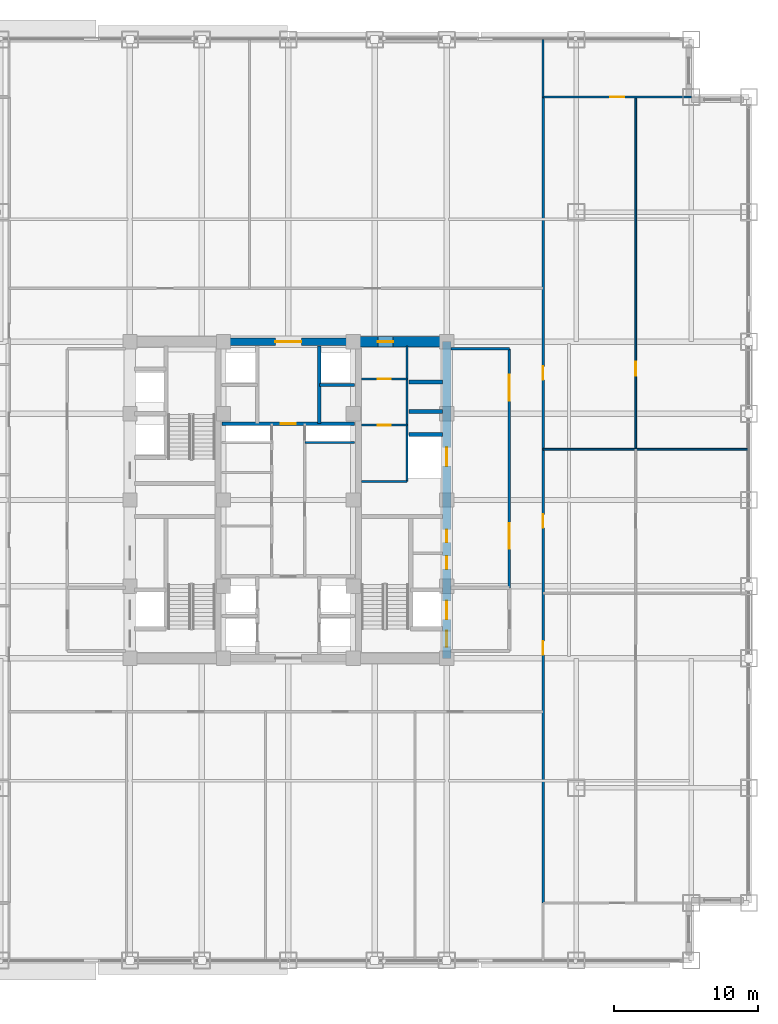
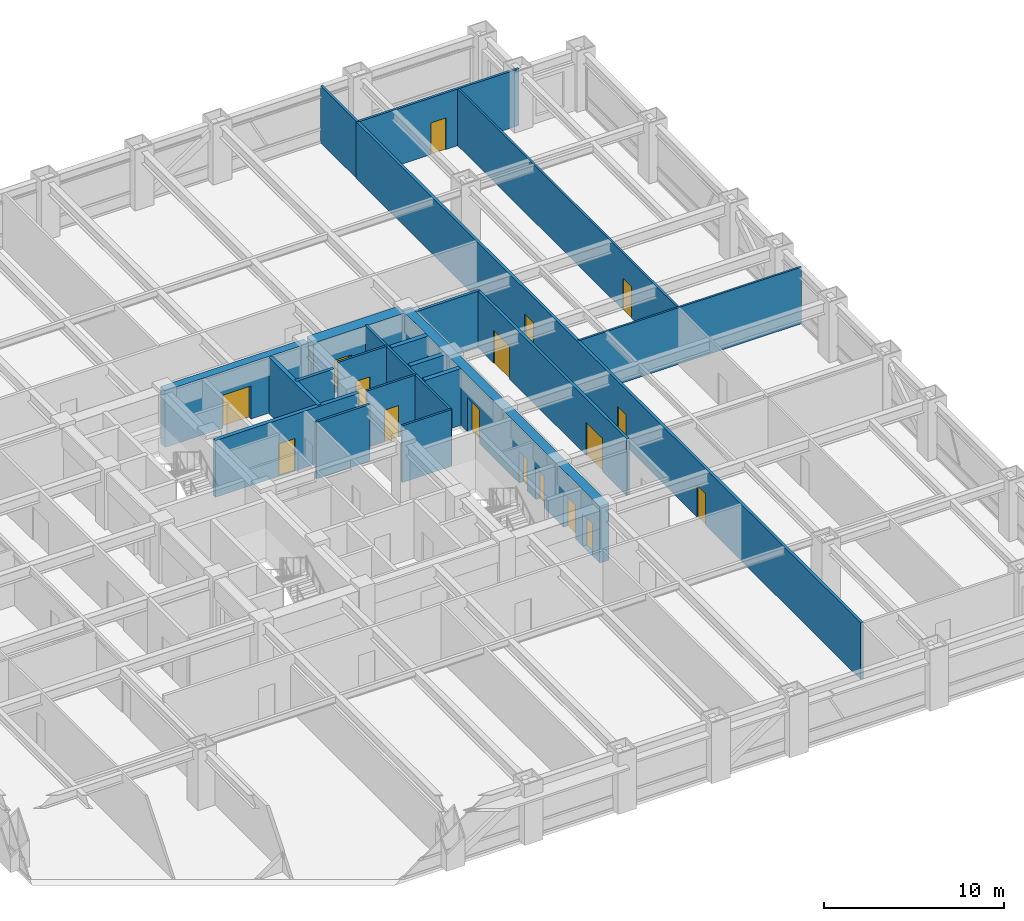
# One storey, part 26 of 32: 21 walls, 17 doors, 17 openings.
"""IFC4 building model written with IfcOpenShell, lengths in metres."""

import ifcopenshell
import ifcopenshell.guid

model = None  # the IFC model being written
_history = None  # IfcOwnerHistory: only IFC2X3 demands one
_inside = {}  # id of a spatial element -> (the spatial element, [elements in it])
_under = {}  # id of a project, library or spatial element -> (it, [spatial elements below it])
_declared = {}  # id of a project -> (the project, [libraries it declares])
_typed = {}  # id of a type object -> (the type object, [elements of that type])
_made_of = {}  # id of a material, layer set ... -> (it, [elements and type objects made of it])


def new_model(schema):
    """Start an empty IFC model of exactly this schema.

    Asked for "IFC4X3", IfcOpenShell would pick the latest addendum, in which some entities
    have other attributes; the version numbers below select the first issue.
    IFC2X3 requires an IfcOwnerHistory on every rooted entity: one is made here for all.
    """
    global model, _history
    if schema == "IFC4X3":
        model = ifcopenshell.file(schema_version=(4, 3, 0, 0))
    else:
        model = ifcopenshell.file(schema=schema)
    _inside.clear()
    _under.clear()
    _declared.clear()
    _typed.clear()
    _made_of.clear()
    _history = None
    if model.schema == "IFC2X3":
        org = make("IfcOrganization", Name="unknown")
        user = make(
            "IfcPersonAndOrganization",
            ThePerson=make("IfcPerson", FamilyName="unknown"),
            TheOrganization=org,
        )
        app = make(
            "IfcApplication",
            ApplicationDeveloper=org,
            Version="unknown",
            ApplicationFullName="unknown",
            ApplicationIdentifier="unknown",
        )
        _history = make(
            "IfcOwnerHistory",
            OwningUser=user,
            OwningApplication=app,
            ChangeAction="ADDED",
            CreationDate=0,
        )
    return model


def make(cls, **values):
    """One entity of the class cls with the attributes given. An attribute that is None is left unset."""
    return model.create_entity(
        cls, **{name: value for name, value in values.items() if value is not None}
    )


def rooted(cls, **values):
    """An entity with a GlobalId (a new one), such as an element, a storey or a relation."""
    return make(cls, GlobalId=ifcopenshell.guid.new(), OwnerHistory=_history, **values)


def si_unit(unit_type, name, prefix=None):
    """IfcSIUnit, for example si_unit("LENGTHUNIT", "METRE", prefix="MILLI")."""
    return make("IfcSIUnit", UnitType=unit_type, Prefix=prefix, Name=name)


def assignment(units):
    """IfcUnitAssignment: the units of a project."""
    return None if units is None else make("IfcUnitAssignment", Units=units)


def point(xyz):
    """IfcCartesianPoint."""
    return None if xyz is None else make("IfcCartesianPoint", Coordinates=xyz)


def direction(xyz):
    """IfcDirection."""
    return None if xyz is None else make("IfcDirection", DirectionRatios=xyz)


def frame(location, z_axis=None, x_axis=None):
    """IfcAxis2Placement3D, a coordinate frame: its origin and axes. An axis left out is left unset."""
    return make(
        "IfcAxis2Placement3D",
        Location=point(location),
        Axis=direction(z_axis),
        RefDirection=direction(x_axis),
    )


def frame_2d(location, x_axis=None):
    """IfcAxis2Placement2D, a coordinate frame in the plane: its origin and x axis."""
    return make(
        "IfcAxis2Placement2D", Location=point(location), RefDirection=direction(x_axis)
    )


def origin():
    """The frame at (0, 0, 0) with its axes left unset."""
    return frame((0.0, 0.0, 0.0))


def place(relative_to, where):
    """IfcLocalPlacement: puts the frame where relative to a parent placement (None: the world)."""
    return make(
        "IfcLocalPlacement", PlacementRelTo=relative_to, RelativePlacement=where
    )


def context(
    kind, dimensions, precision=None, world=None, true_north=None, identifier=None
):
    """IfcGeometricRepresentationContext, for example the 3D "Model" context."""
    return make(
        "IfcGeometricRepresentationContext",
        ContextIdentifier=identifier,
        ContextType=kind,
        CoordinateSpaceDimension=dimensions,
        Precision=precision,
        WorldCoordinateSystem=world,
        TrueNorth=true_north,
    )


def subcontext(parent, identifier, kind, view, scale=None):
    """IfcGeometricRepresentationSubContext, for example "Body" below "Model"."""
    return make(
        "IfcGeometricRepresentationSubContext",
        ContextIdentifier=identifier,
        ContextType=kind,
        ParentContext=parent,
        TargetScale=scale,
        TargetView=view,
    )


def project(units=None, contexts=None):
    """IfcProject with its units and contexts."""
    return rooted(
        "IfcProject",
        Name="project",
        RepresentationContexts=contexts,
        UnitsInContext=assignment(units),
    )


def spatial(cls, under=None, at=None, **own):
    """A site, building, storey or space (cls), placed at a placement, below another one or the project."""
    s = rooted(cls, ObjectPlacement=at, **own)
    if under is not None:
        _under.setdefault(under.id(), (under, []))[1].append(s)
    return s


def profile(cls, at=None, kind="AREA", **sizes):
    """A parametric profile (cls). Its sizes go by their IFC names, for example OverallWidth=200.0."""
    return make(cls, ProfileType=kind, Position=at, **sizes)


def rectangle(**sizes):
    """IfcRectangleProfileDef."""
    return profile("IfcRectangleProfileDef", **sizes)


def extrude(swept, where, along, depth):
    """IfcExtrudedAreaSolid: the profile swept, set in the frame where, extruded along a direction by depth."""
    return make(
        "IfcExtrudedAreaSolid",
        SweptArea=swept,
        Position=where,
        ExtrudedDirection=direction(along),
        Depth=depth,
    )


def shape(context_of_items, identifier, shape_type, items):
    """IfcShapeRepresentation: the items that make up one representation, for example the "Body"."""
    return make(
        "IfcShapeRepresentation",
        ContextOfItems=context_of_items,
        RepresentationIdentifier=identifier,
        RepresentationType=shape_type,
        Items=items,
    )


def source(mapping_origin, context_of_items, identifier, shape_type, items):
    """IfcRepresentationMap: a shape defined once, which mapped items show again and again."""
    return make(
        "IfcRepresentationMap",
        MappingOrigin=mapping_origin,
        MappedRepresentation=shape(context_of_items, identifier, shape_type, items),
    )


def transform(
    local_origin,
    x_axis=None,
    y_axis=None,
    z_axis=None,
    scale=None,
    scale2=None,
    scale3=None,
    uniform=True,
):
    """IfcCartesianTransformationOperator3D, or its non-uniform kind. x_axis, y_axis, z_axis: its Axis1, 2, 3."""
    if uniform:
        return make(
            "IfcCartesianTransformationOperator3D",
            Axis1=direction(x_axis),
            Axis2=direction(y_axis),
            LocalOrigin=point(local_origin),
            Scale=scale,
            Axis3=direction(z_axis),
        )
    return make(
        "IfcCartesianTransformationOperator3DnonUniform",
        Axis1=direction(x_axis),
        Axis2=direction(y_axis),
        LocalOrigin=point(local_origin),
        Scale=scale,
        Axis3=direction(z_axis),
        Scale2=scale2,
        Scale3=scale3,
    )


def mapped(mapping_source, mapping_target):
    """IfcMappedItem: shows the shape of a source again, moved by a transform."""
    return make(
        "IfcMappedItem", MappingSource=mapping_source, MappingTarget=mapping_target
    )


def material(Name=None, Category=None):
    """IfcMaterial."""
    return make("IfcMaterial", Name=Name, Category=Category)


def layer(
    of_material, thickness, ventilated=None, Name=None, Category=None, Priority=None
):
    """IfcMaterialLayer: one layer of a wall or slab, of a material (None: an air gap)."""
    return make(
        "IfcMaterialLayer",
        Material=of_material,
        LayerThickness=thickness,
        IsVentilated=ventilated,
        Name=Name,
        Category=Category,
        Priority=Priority,
    )


def layer_set(layers, Name=None):
    """IfcMaterialLayerSet."""
    return make("IfcMaterialLayerSet", MaterialLayers=layers, LayerSetName=Name)


def made_of(thing, what):
    """Note that an element or type object is made of a material, layer set ...; save() writes the relation."""
    if what is not None:
        _made_of.setdefault(what.id(), (what, []))[1].append(thing)
    return thing


def type_object(cls, material=None, **own):
    """A type object (cls), such as IfcWallType, which elements share."""
    return made_of(rooted(cls, **own), material)


def element(
    cls,
    number,
    at=None,
    inside=None,
    cuts=None,
    type_object=None,
    material=None,
    context=None,
    identifier="Body",
    shape_type=None,
    held_by="IfcProductDefinitionShape",
    body=None,
    shapes=None,
    **own,
):
    """One element of the class cls, such as IfcWall. Its Tag is "e" and its number.

    at: its placement. inside: the storey or other place that contains it. cuts: it is an
    opening in that element (IfcRelVoidsElement). A single representation is given by context,
    identifier, shape_type and body (its items); several are given by shapes. held_by: the class
    of the entity that holds the representations. save() writes the other relations.
    """
    e = rooted(cls, Tag="e%d" % number, ObjectPlacement=at, **own)
    if body is not None:
        shapes = [shape(context, identifier, shape_type, body)]
    if shapes is not None:
        e.Representation = make(held_by, Representations=shapes)
    if inside is not None:
        _inside.setdefault(inside.id(), (inside, []))[1].append(e)
    if cuts is not None:
        rooted(
            "IfcRelVoidsElement", RelatingBuildingElement=cuts, RelatedOpeningElement=e
        )
    if type_object is not None:
        _typed.setdefault(type_object.id(), (type_object, []))[1].append(e)
    return made_of(e, material)


def fill(opening, filler):
    """IfcRelFillsElement: the door or window that sits in an opening."""
    return rooted(
        "IfcRelFillsElement",
        RelatingOpeningElement=opening,
        RelatedBuildingElement=filler,
    )


def aggregate(whole, parts):
    """IfcRelAggregates: a whole, such as a stair, and the parts it consists of."""
    return rooted("IfcRelAggregates", RelatingObject=whole, RelatedObjects=parts)


def save(model, path):
    """Write the relations noted so far, then the file.

    IfcRelAggregates (storeys below a building ...), IfcRelContainedInSpatialStructure (elements
    in a storey), IfcRelDefinesByType, IfcRelAssociatesMaterial and IfcRelDeclares: one each for
    every whole, place, type object, material and project.
    """
    for whole, parts in _under.values():
        aggregate(whole, parts)
    for where, things in _inside.values():
        rooted(
            "IfcRelContainedInSpatialStructure",
            RelatedElements=things,
            RelatingStructure=where,
        )
    for kind, things in _typed.values():
        rooted("IfcRelDefinesByType", RelatedObjects=things, RelatingType=kind)
    for what, things in _made_of.values():
        rooted("IfcRelAssociatesMaterial", RelatedObjects=things, RelatingMaterial=what)
    for by, libraries in _declared.values():
        rooted("IfcRelDeclares", RelatingContext=by, RelatedDefinitions=libraries)
    model.write(path)


model = new_model("IFC4")

# Units and contexts
model_context = context("Model", 3, precision=1e-05, world=origin(), true_north=direction((0.0, 1.0)))
body_context = subcontext(model_context, "Body", "Model", "MODEL_VIEW")
ifc_project = project(units=[si_unit("LENGTHUNIT", "METRE"), si_unit("AREAUNIT", "SQUARE_METRE"), si_unit("VOLUMEUNIT", "CUBIC_METRE"), si_unit("PLANEANGLEUNIT", "RADIAN"), si_unit("MASSUNIT", "GRAM", prefix="KILO")], contexts=[model_context])

# Site, building, storey
site_placement = place(None, origin())
site = spatial("IfcSite", under=ifc_project, at=site_placement, CompositionType="ELEMENT")
building_placement = place(site_placement, origin())
building = spatial("IfcBuilding", under=site, at=building_placement, Name="Khorayat Bourse Tower", CompositionType="ELEMENT")
storey_placement = place(building_placement, frame((0.0, 0.0, 132.39990234375)))
storey = spatial("IfcBuildingStorey", under=building, at=storey_placement, Name="L30", CompositionType="ELEMENT", Elevation=132.39990234375)

# Wall, openings, doors
ifc_material_1 = material(Name="Concrete C60/75", Category="concrete")
ifc_layer_1 = layer(ifc_material_1, 0.60009765625)
ifc_layer_set_1 = layer_set([ifc_layer_1], Name="Concrete C60/75")
wall_type_1 = type_object("IfcWallType", Name="WAL-CORE-600", PredefinedType="SHEAR", material=ifc_layer_set_1)
shared_shape_1 = source(origin(), body_context, "Body", "SweptSolid", [
    extrude(rectangle(XDim=22.0, YDim=0.60009765625, at=frame_2d((11.0, 0.0))), origin(), (0.0, 0.0, 1.0), 3.840087890625),
])
wall_1_placement = place(storey_placement, frame((11.0, -11.0, 0.0), z_axis=(0.0, 0.0, 1.0), x_axis=(0.0, 1.0, 0.0)))
wall_1 = element("IfcWall", 1, at=wall_1_placement, inside=storey, type_object=wall_type_1, Name="L30 Core Shear Wall CORE-E", PredefinedType="SHEAR", context=body_context, shape_type="MappedRepresentation", body=[
    mapped(shared_shape_1, transform((0.0, 0.0, 0.0), scale=1.0)),
])
shared_shape_2 = source(origin(), body_context, "Body", "SweptSolid", [
    extrude(rectangle(XDim=1.10009765625, YDim=2.199951171875, at=frame_2d((0.550048828125, 1.10009765625))), frame((0.0, 0.31005859375, 0.0), z_axis=(0.0, -1.0, 0.0), x_axis=(1.0, 0.0, 0.0)), (0.0, 0.0, 1.0), 0.6201171875),
])
opening_1_placement = place(wall_1_placement, frame((0.800048828125, 0.0, 0.0)))
opening_1 = element("IfcOpeningElement", 2, at=opening_1_placement, cuts=wall_1, Name="Opening DI-01", PredefinedType="OPENING", context=body_context, shape_type="MappedRepresentation", body=[
    mapped(shared_shape_2, transform((0.0, 0.0, 0.0), scale=1.0)),
])
shared_shape_3 = source(origin(), body_context, "Body", "SweptSolid", [
    extrude(rectangle(XDim=0.89990234375, YDim=2.14990234375, at=frame_2d((0.449951171875, 1.074951171875))), frame((0.0, 0.31005859375, 0.0), z_axis=(0.0, -1.0, 0.0), x_axis=(1.0, 0.0, 0.0)), (0.0, 0.0, 1.0), 0.6201171875),
])
opening_2_placement = place(wall_1_placement, frame((6.199951171875, 0.0, 0.0)))
opening_2 = element("IfcOpeningElement", 3, at=opening_2_placement, cuts=wall_1, Name="Opening DI-06", PredefinedType="OPENING", context=body_context, shape_type="MappedRepresentation", body=[
    mapped(shared_shape_3, transform((0.0, 0.0, 0.0), scale=1.0)),
])
opening_3_placement = place(wall_1_placement, frame((8.050048828125, 0.0, 0.0)))
opening_3 = element("IfcOpeningElement", 4, at=opening_3_placement, cuts=wall_1, Name="Opening DI-06", PredefinedType="OPENING", context=body_context, shape_type="MappedRepresentation", body=[
    mapped(shared_shape_3, transform((0.0, 0.0, 0.0), scale=1.0)),
])
shared_shape_4 = source(origin(), body_context, "Body", "SweptSolid", [
    extrude(rectangle(XDim=1.300048828125, YDim=2.300048828125, at=frame_2d((0.64990234375, 1.14990234375))), frame((0.0, 0.31005859375, 0.0), z_axis=(0.0, -1.0, 0.0), x_axis=(1.0, 0.0, 0.0)), (0.0, 0.0, 1.0), 0.6201171875),
])
opening_4_placement = place(wall_1_placement, frame((2.699951171875, 0.0, 0.0)))
opening_4 = element("IfcOpeningElement", 5, at=opening_4_placement, cuts=wall_1, Name="Opening LD-02", PredefinedType="OPENING", context=body_context, shape_type="MappedRepresentation", body=[
    mapped(shared_shape_4, transform((0.0, 0.0, 0.0), scale=1.0)),
])
opening_5_placement = place(wall_1_placement, frame((13.35009765625, 0.0, 0.0)))
opening_5 = element("IfcOpeningElement", 6, at=opening_5_placement, cuts=wall_1, Name="Opening LD-02", PredefinedType="OPENING", context=body_context, shape_type="MappedRepresentation", body=[
    mapped(shared_shape_4, transform((0.0, 0.0, 0.0), scale=1.0)),
])
ifc_material_2 = material(Name="Fire-rated steel acoustic leaf", Category="steel")
door_type_1 = type_object("IfcDoorType", Name="DR-INT-STAIR-1100", OperationType="NOTDEFINED", PredefinedType="DOOR", material=ifc_material_2)
shared_shape_5 = source(origin(), body_context, "Body", "SweptSolid", [
    extrude(rectangle(XDim=1.10009765625, YDim=2.199951171875, at=frame_2d((0.550048828125, 1.10009765625))), frame((0.0, 0.02490234375, 0.0), z_axis=(0.0, -1.0, 0.0), x_axis=(1.0, 0.0, 0.0)), (0.0, 0.0, 1.0), 0.050048828125),
])
door_1_placement = place(opening_1_placement, origin())
door_1 = element("IfcDoor", 7, at=door_1_placement, inside=storey, type_object=door_type_1, Name="L30 Exit Stair 3 Door", OperationType="SINGLE_SWING_LEFT", OverallHeight=2.199951171875, OverallWidth=1.10009765625, PredefinedType="DOOR", context=body_context, shape_type="MappedRepresentation", body=[
    mapped(shared_shape_5, transform((0.0, 0.0, 0.0), scale=1.0)),
])
fill(opening_1, door_1)
ifc_material_3 = material(Name="Moisture-resistant laminate washroom door")
door_type_2 = type_object("IfcDoorType", Name="DR-INT-WC-900", OperationType="NOTDEFINED", PredefinedType="DOOR", material=ifc_material_3)
shared_shape_6 = source(origin(), body_context, "Body", "SweptSolid", [
    extrude(rectangle(XDim=0.89990234375, YDim=2.14990234375, at=frame_2d((0.449951171875, 1.074951171875))), frame((0.0, 0.02490234375, 0.0), z_axis=(0.0, -1.0, 0.0), x_axis=(1.0, 0.0, 0.0)), (0.0, 0.0, 1.0), 0.050048828125),
])
door_2_placement = place(opening_2_placement, origin())
door_2 = element("IfcDoor", 8, at=door_2_placement, inside=storey, type_object=door_type_2, Name="L30 Comms Closet Door", OperationType="SINGLE_SWING_LEFT", OverallHeight=2.14990234375, OverallWidth=0.89990234375, PredefinedType="DOOR", context=body_context, shape_type="MappedRepresentation", body=[
    mapped(shared_shape_6, transform((0.0, 0.0, 0.0), scale=1.0)),
])
fill(opening_2, door_2)
door_3_placement = place(opening_3_placement, origin())
door_3 = element("IfcDoor", 9, at=door_3_placement, inside=storey, type_object=door_type_2, Name="L30 Cleaner Store Door", OperationType="SINGLE_SWING_RIGHT", OverallHeight=2.14990234375, OverallWidth=0.89990234375, PredefinedType="DOOR", context=body_context, shape_type="MappedRepresentation", body=[
    mapped(shared_shape_6, transform((0.0, 0.0, 0.0), scale=1.0)),
])
fill(opening_3, door_3)
ifc_material_4 = material(Name="Fire-rated stainless-steel sliding landing door", Category="steel")
door_type_3 = type_object("IfcDoorType", Name="DR-LIFT-FF-1300", OperationType="NOTDEFINED", PredefinedType="DOOR", material=ifc_material_4)
shared_shape_7 = source(origin(), body_context, "Body", "SweptSolid", [
    extrude(rectangle(XDim=1.300048828125, YDim=2.300048828125, at=frame_2d((0.64990234375, 1.14990234375))), frame((0.0, 0.02490234375, 0.0), z_axis=(0.0, -1.0, 0.0), x_axis=(1.0, 0.0, 0.0)), (0.0, 0.0, 1.0), 0.050048828125),
])
door_4_placement = place(opening_4_placement, origin())
door_4 = element("IfcDoor", 10, at=door_4_placement, inside=storey, type_object=door_type_3, Name="L30 Lift FFL-02 Sliding Landing Door", OperationType="SLIDING_TO_LEFT", OverallHeight=2.300048828125, OverallWidth=1.300048828125, PredefinedType="DOOR", context=body_context, shape_type="MappedRepresentation", body=[
    mapped(shared_shape_7, transform((0.0, 0.0, 0.0), scale=1.0)),
])
fill(opening_4, door_4)
door_5_placement = place(opening_5_placement, origin())
door_5 = element("IfcDoor", 11, at=door_5_placement, inside=storey, type_object=door_type_3, Name="L30 Lift SVL-01 Sliding Landing Door", OperationType="SLIDING_TO_LEFT", OverallHeight=2.300048828125, OverallWidth=1.300048828125, PredefinedType="DOOR", context=body_context, shape_type="MappedRepresentation", body=[
    mapped(shared_shape_7, transform((0.0, 0.0, 0.0), scale=1.0)),
])
fill(opening_5, door_5)

# Wall, opening, door
ifc_material_5 = material(Name="Concrete C72/90", Category="concrete")
ifc_layer_2 = layer(ifc_material_5, 0.75)
ifc_layer_set_2 = layer_set([ifc_layer_2], Name="Concrete C72/90")
wall_type_2 = type_object("IfcWallType", Name="WAL-CORE-750", PredefinedType="SHEAR", material=ifc_layer_set_2)
shared_shape_8 = source(origin(), body_context, "Body", "SweptSolid", [
    extrude(rectangle(XDim=5.849853515625, YDim=0.75, at=frame_2d((2.9248046875, 0.0))), origin(), (0.0, 0.0, 1.0), 3.840087890625),
])
wall_2_placement = place(storey_placement, frame((4.85009765625, 11.0, 0.0), z_axis=(0.0, 0.0, 1.0), x_axis=(1.0, 0.0, 0.0)))
wall_2 = element("IfcWall", 12, at=wall_2_placement, inside=storey, type_object=wall_type_2, Name="L30 Core Shear Wall PIER-EN", PredefinedType="SHEAR", context=body_context, shape_type="MappedRepresentation", body=[
    mapped(shared_shape_8, transform((0.0, 0.0, 0.0), scale=1.0)),
])
shared_shape_9 = source(origin(), body_context, "Body", "SweptSolid", [
    extrude(rectangle(XDim=1.050048828125, YDim=2.199951171875, at=frame_2d((0.52490234375, 1.10009765625))), frame((0.0, 0.385009765625, 0.0), z_axis=(0.0, -1.0, 0.0), x_axis=(1.0, 0.0, 0.0)), (0.0, 0.0, 1.0), 0.77001953125),
])
opening_6_placement = place(wall_2_placement, frame((1.375, 0.0, 0.0)))
opening_6 = element("IfcOpeningElement", 13, at=opening_6_placement, cuts=wall_2, Name="Opening DI-04", PredefinedType="OPENING", context=body_context, shape_type="MappedRepresentation", body=[
    mapped(shared_shape_9, transform((0.0, 0.0, 0.0), scale=1.0)),
])
ifc_material_6 = material(Name="Fire-rated oak veneer suite entrance door")
door_type_4 = type_object("IfcDoorType", Name="DR-INT-SUITE-1050", OperationType="NOTDEFINED", PredefinedType="DOOR", material=ifc_material_6)
shared_shape_10 = source(origin(), body_context, "Body", "SweptSolid", [
    extrude(rectangle(XDim=1.050048828125, YDim=2.199951171875, at=frame_2d((0.52490234375, 1.10009765625))), frame((0.0, 0.02490234375, 0.0), z_axis=(0.0, -1.0, 0.0), x_axis=(1.0, 0.0, 0.0)), (0.0, 0.0, 1.0), 0.050048828125),
])
door_6_placement = place(opening_6_placement, origin())
door_6 = element("IfcDoor", 14, at=door_6_placement, inside=storey, type_object=door_type_4, Name="L30 Core Washroom Lobby Door", OperationType="SINGLE_SWING_LEFT", OverallHeight=2.199951171875, OverallWidth=1.050048828125, PredefinedType="DOOR", context=body_context, shape_type="MappedRepresentation", body=[
    mapped(shared_shape_10, transform((0.0, 0.0, 0.0), scale=1.0)),
])
fill(opening_6, door_6)

ifc_material_7 = material(Name="Concrete C52/65", Category="concrete")
ifc_layer_3 = layer(ifc_material_7, 0.5)
ifc_layer_set_3 = layer_set([ifc_layer_3], Name="Concrete C52/65")
wall_type_3 = type_object("IfcWallType", Name="WAL-CORE-500", PredefinedType="SHEAR", material=ifc_layer_set_3)
shared_shape_11 = source(origin(), body_context, "Body", "SweptSolid", [
    extrude(rectangle(XDim=9.2001953125, YDim=0.5, at=frame_2d((4.60009765625, 0.0))), origin(), (0.0, 0.0, 1.0), 3.840087890625),
])
wall_3_placement = place(storey_placement, frame((-4.60009765625, 11.0, 0.0), z_axis=(0.0, 0.0, 1.0), x_axis=(1.0, 0.0, 0.0)))
wall_3 = element("IfcWall", 15, at=wall_3_placement, inside=storey, type_object=wall_type_3, Name="L30 Core Shear Wall CORE-N", PredefinedType="SHEAR", context=body_context, shape_type="MappedRepresentation", body=[
    mapped(shared_shape_11, transform((0.0, 0.0, 0.0), scale=1.0)),
])
shared_shape_12 = source(origin(), body_context, "Body", "SweptSolid", [
    extrude(rectangle(XDim=1.800048828125, YDim=2.25, at=frame_2d((0.89990234375, 1.125))), frame((0.0, 0.260009765625, 0.0), z_axis=(0.0, -1.0, 0.0), x_axis=(1.0, 0.0, 0.0)), (0.0, 0.0, 1.0), 0.52001953125),
])
opening_7_placement = place(wall_3_placement, frame((3.699951171875, 0.0, 0.0)))
opening_7 = element("IfcOpeningElement", 16, at=opening_7_placement, cuts=wall_3, Name="Opening DI-03", PredefinedType="OPENING", context=body_context, shape_type="MappedRepresentation", body=[
    mapped(shared_shape_12, transform((0.0, 0.0, 0.0), scale=1.0)),
])
ifc_material_8 = material(Name="Fire-rated hardwood vision-panel double leaf", Category="wood")
door_type_5 = type_object("IfcDoorType", Name="DR-INT-CORR-1800", OperationType="NOTDEFINED", PredefinedType="DOOR", material=ifc_material_8)
shared_shape_13 = source(origin(), body_context, "Body", "SweptSolid", [
    extrude(rectangle(XDim=1.800048828125, YDim=2.25, at=frame_2d((0.89990234375, 1.125))), frame((0.0, 0.02490234375, 0.0), z_axis=(0.0, -1.0, 0.0), x_axis=(1.0, 0.0, 0.0)), (0.0, 0.0, 1.0), 0.050048828125),
])
door_7_placement = place(opening_7_placement, origin())
door_7 = element("IfcDoor", 17, at=door_7_placement, inside=storey, type_object=door_type_5, Name="L30 Mid-Rise Lift Lobby Door", OperationType="SINGLE_SWING_RIGHT", OverallHeight=2.25, OverallWidth=1.800048828125, PredefinedType="DOOR", context=body_context, shape_type="MappedRepresentation", body=[
    mapped(shared_shape_13, transform((0.0, 0.0, 0.0), scale=1.0)),
])
fill(opening_7, door_7)

# Walls
ifc_material_9 = material(Name="Concrete C50/60", Category="concrete")
ifc_layer_4 = layer(ifc_material_9, 0.300048828125)
ifc_layer_set_4 = layer_set([ifc_layer_4], Name="Concrete C50/60")
wall_type_4 = type_object("IfcWallType", Name="WAL-SHAFT-300", PredefinedType="SHEAR", material=ifc_layer_set_4)
shared_shape_14 = source(origin(), body_context, "Body", "SweptSolid", [
    extrude(rectangle(XDim=2.300048828125, YDim=0.300048828125, at=frame_2d((1.14990234375, 0.0))), origin(), (0.0, 0.0, 1.0), 3.840087890625),
])
for number, where, z_axis, x_axis, name in (
    (18, (8.39990234375, 4.550048828125, 0.0), (0.0, 0.0, 1.0), (1.0, 0.0, 0.0), "L30 Partition WAL-L30-EPIER-SVLN"),
    (19, (8.39990234375, 6.14990234375, 0.0), (0.0, 0.0, 1.0), (1.0, 0.0, 0.0), "L30 Partition WAL-L30-EPIER-H3S"),
    (20, (8.39990234375, 8.199951171875, 0.0), (0.0, 0.0, 1.0), (1.0, 0.0, 0.0), "L30 Partition WAL-L30-EPIER-H34"),
):
    element("IfcWall", number, at=place(storey_placement, frame(where, z_axis=z_axis, x_axis=x_axis)), inside=storey, type_object=wall_type_4, Name=name, PredefinedType="SHEAR", context=body_context, shape_type="MappedRepresentation", body=[
        mapped(shared_shape_14, transform((0.0, 0.0, 0.0), scale=1.0)),
    ])
ifc_material_10 = material(Name="Moisture-resistant masonry partition", Category="masonry")
ifc_layer_5 = layer(ifc_material_10, 0.139892578125)
ifc_layer_set_5 = layer_set([ifc_layer_5], Name="Moisture-resistant masonry partition")
wall_type_5 = type_object("IfcWallType", Name="WAL-PART-WET-140", PredefinedType="PARTITIONING", material=ifc_layer_set_5)
shared_shape_15 = source(origin(), body_context, "Body", "SweptSolid", [
    extrude(rectangle(XDim=9.39990234375, YDim=0.139892578125, at=frame_2d((4.699951171875, 0.0))), origin(), (0.0, 0.0, 1.0), 3.840087890625),
])
wall_4_placement = place(storey_placement, frame((8.25, 1.300048828125, 0.0), z_axis=(0.0, 0.0, 1.0), x_axis=(0.0, 1.0, 0.0)))
element("IfcWall", 21, at=wall_4_placement, inside=storey, type_object=wall_type_5, Name="L30 Partition WAL-L30-ECORE-E", PredefinedType="PARTITIONING", context=body_context, shape_type="MappedRepresentation", body=[
    mapped(shared_shape_15, transform((0.0, 0.0, 0.0), scale=1.0)),
])
shared_shape_16 = source(origin(), body_context, "Body", "SweptSolid", [
    extrude(rectangle(XDim=3.14990234375, YDim=0.139892578125, at=frame_2d((1.574951171875, 0.0))), origin(), (0.0, 0.0, 1.0), 3.840087890625),
])
wall_5_placement = place(storey_placement, frame((5.10009765625, 1.300048828125, 0.0), z_axis=(0.0, 0.0, 1.0), x_axis=(1.0, 0.0, 0.0)))
element("IfcWall", 22, at=wall_5_placement, inside=storey, type_object=wall_type_5, Name="L30 Partition WAL-L30-ECORE-S", PredefinedType="PARTITIONING", context=body_context, shape_type="MappedRepresentation", body=[
    mapped(shared_shape_16, transform((0.0, 0.0, 0.0), scale=1.0)),
])

# Wall, opening, door
wall_6_placement = place(storey_placement, frame((5.10009765625, 8.39990234375, 0.0), z_axis=(0.0, 0.0, 1.0), x_axis=(1.0, 0.0, 0.0)))
wall_6 = element("IfcWall", 23, at=wall_6_placement, inside=storey, type_object=wall_type_5, Name="L30 Partition WAL-L30-ECW-TOP", PredefinedType="PARTITIONING", context=body_context, shape_type="MappedRepresentation", body=[
    mapped(shared_shape_16, transform((0.0, 0.0, 0.0), scale=1.0)),
])
shared_shape_17 = source(origin(), body_context, "Body", "SweptSolid", [
    extrude(rectangle(XDim=0.89990234375, YDim=2.14990234375, at=frame_2d((0.449951171875, 1.074951171875))), frame((0.0, 0.079833984375, 0.0), z_axis=(0.0, -1.0, 0.0), x_axis=(1.0, 0.0, 0.0)), (0.0, 0.0, 1.0), 0.159912109375),
])
opening_8_placement = place(wall_6_placement, frame((1.1298828125, 0.0, 0.0)))
opening_8 = element("IfcOpeningElement", 24, at=opening_8_placement, cuts=wall_6, Name="Opening DI-06", PredefinedType="OPENING", context=body_context, shape_type="MappedRepresentation", body=[
    mapped(shared_shape_17, transform((0.0, 0.0, 0.0), scale=1.0)),
])
door_8_placement = place(opening_8_placement, origin())
door_8 = element("IfcDoor", 25, at=door_8_placement, inside=storey, type_object=door_type_2, Name="L30 Accessible WC Door", OperationType="SINGLE_SWING_LEFT", OverallHeight=2.14990234375, OverallWidth=0.89990234375, PredefinedType="DOOR", context=body_context, shape_type="MappedRepresentation", body=[
    mapped(shared_shape_6, transform((0.0, 0.0, 0.0), scale=1.0)),
])
fill(opening_8, door_8)

wall_7_placement = place(storey_placement, frame((5.10009765625, 5.199951171875, 0.0), z_axis=(0.0, 0.0, 1.0), x_axis=(1.0, 0.0, 0.0)))
wall_7 = element("IfcWall", 26, at=wall_7_placement, inside=storey, type_object=wall_type_5, Name="L30 Partition WAL-L30-ECW-HZ", PredefinedType="PARTITIONING", context=body_context, shape_type="MappedRepresentation", body=[
    mapped(shared_shape_16, transform((0.0, 0.0, 0.0), scale=1.0)),
])
opening_9_placement = place(wall_7_placement, frame((1.1298828125, 0.0, 0.0)))
opening_9 = element("IfcOpeningElement", 27, at=opening_9_placement, cuts=wall_7, Name="Opening DI-06", PredefinedType="OPENING", context=body_context, shape_type="MappedRepresentation", body=[
    mapped(shared_shape_17, transform((0.0, 0.0, 0.0), scale=1.0)),
])
door_9_placement = place(opening_9_placement, origin())
door_9 = element("IfcDoor", 28, at=door_9_placement, inside=storey, type_object=door_type_2, Name="L30 Shared Washroom Door", OperationType="SINGLE_SWING_RIGHT", OverallHeight=2.14990234375, OverallWidth=0.89990234375, PredefinedType="DOOR", context=body_context, shape_type="MappedRepresentation", body=[
    mapped(shared_shape_6, transform((0.0, 0.0, 0.0), scale=1.0)),
])
fill(opening_9, door_9)

# Wall
ifc_material_11 = material(Name="Gypsum plasterboard acoustic stud wall")
ifc_layer_6 = layer(ifc_material_11, 0.179931640625)
ifc_layer_set_6 = layer_set([ifc_layer_6], Name="Gypsum plasterboard acoustic stud wall")
wall_type_6 = type_object("IfcWallType", Name="WAL-PART-CORR-180", PredefinedType="PARTITIONING", material=ifc_layer_set_6)
shared_shape_18 = source(origin(), body_context, "Body", "SweptSolid", [
    extrude(rectangle(XDim=4.050048828125, YDim=0.179931640625, at=frame_2d((2.02490234375, 0.0))), origin(), (0.0, 0.0, 1.0), 3.840087890625),
])
wall_8_placement = place(storey_placement, frame((11.300048828125, 10.5, 0.0), z_axis=(0.0, 0.0, 1.0), x_axis=(1.0, 0.0, 0.0)))
element("IfcWall", 29, at=wall_8_placement, inside=storey, type_object=wall_type_6, Name="L30 Partition WAL-L30-ELOB-N", PredefinedType="PARTITIONING", context=body_context, shape_type="MappedRepresentation", body=[
    mapped(shared_shape_18, transform((0.0, 0.0, 0.0), scale=1.0)),
])

# Wall, openings, doors
shared_shape_19 = source(origin(), body_context, "Body", "SweptSolid", [
    extrude(rectangle(XDim=16.60009765625, YDim=0.179931640625, at=frame_2d((8.300048828125, 0.0))), origin(), (0.0, 0.0, 1.0), 3.840087890625),
])
wall_9_placement = place(storey_placement, frame((15.35009765625, -6.10009765625, 0.0), z_axis=(0.0, 0.0, 1.0), x_axis=(0.0, 1.0, 0.0)))
wall_9 = element("IfcWall", 30, at=wall_9_placement, inside=storey, type_object=wall_type_6, Name="L30 Partition WAL-L30-ELOB-E", PredefinedType="PARTITIONING", context=body_context, shape_type="MappedRepresentation", body=[
    mapped(shared_shape_19, transform((0.0, 0.0, 0.0), scale=1.0)),
])
shared_shape_20 = source(origin(), body_context, "Body", "SweptSolid", [
    extrude(rectangle(XDim=1.800048828125, YDim=2.25, at=frame_2d((0.89990234375, 1.125))), frame((0.0, 0.099853515625, 0.0), z_axis=(0.0, -1.0, 0.0), x_axis=(1.0, 0.0, 0.0)), (0.0, 0.0, 1.0), 0.199951171875),
])
opening_10_placement = place(wall_9_placement, frame((2.699951171875, 0.0, 0.0)))
opening_10 = element("IfcOpeningElement", 31, at=opening_10_placement, cuts=wall_9, Name="Opening DI-03", PredefinedType="OPENING", context=body_context, shape_type="MappedRepresentation", body=[
    mapped(shared_shape_20, transform((0.0, 0.0, 0.0), scale=1.0)),
])
opening_11_placement = place(wall_9_placement, frame((13.0, 0.0, 0.0)))
opening_11 = element("IfcOpeningElement", 32, at=opening_11_placement, cuts=wall_9, Name="Opening DI-03", PredefinedType="OPENING", context=body_context, shape_type="MappedRepresentation", body=[
    mapped(shared_shape_20, transform((0.0, 0.0, 0.0), scale=1.0)),
])
door_10_placement = place(opening_10_placement, origin())
door_10 = element("IfcDoor", 33, at=door_10_placement, inside=storey, type_object=door_type_5, Name="L30 East Core Lobby South Door", OperationType="SINGLE_SWING_RIGHT", OverallHeight=2.25, OverallWidth=1.800048828125, PredefinedType="DOOR", context=body_context, shape_type="MappedRepresentation", body=[
    mapped(shared_shape_13, transform((0.0, 0.0, 0.0), scale=1.0)),
])
fill(opening_10, door_10)
door_11_placement = place(opening_11_placement, origin())
door_11 = element("IfcDoor", 34, at=door_11_placement, inside=storey, type_object=door_type_5, Name="L30 East Core Lobby North Door", OperationType="SINGLE_SWING_LEFT", OverallHeight=2.25, OverallWidth=1.800048828125, PredefinedType="DOOR", context=body_context, shape_type="MappedRepresentation", body=[
    mapped(shared_shape_13, transform((0.0, 0.0, 0.0), scale=1.0)),
])
fill(opening_11, door_11)

# Walls
ifc_material_12 = material(Name="Gypsum plasterboard twin-frame partition")
ifc_layer_7 = layer(ifc_material_12, 0.14990234375)
ifc_layer_set_7 = layer_set([ifc_layer_7], Name="Gypsum plasterboard twin-frame partition")
wall_type_7 = type_object("IfcWallType", Name="WAL-PART-SUITE-150", PredefinedType="PARTITIONING", material=ifc_layer_set_7)
shared_shape_21 = source(origin(), body_context, "Body", "SweptSolid", [
    extrude(rectangle(XDim=3.4501953125, YDim=0.14990234375, at=frame_2d((1.72509765625, 0.0))), origin(), (0.0, 0.0, 1.0), 3.840087890625),
])
wall_10_placement = place(storey_placement, frame((1.14990234375, 4.0, 0.0), z_axis=(0.0, 0.0, 1.0), x_axis=(1.0, 0.0, 0.0)))
element("IfcWall", 35, at=wall_10_placement, inside=storey, type_object=wall_type_7, Name="L30 Partition WAL-L30-CRSE-S", PredefinedType="PARTITIONING", context=body_context, shape_type="MappedRepresentation", body=[
    mapped(shared_shape_21, transform((0.0, 0.0, 0.0), scale=1.0)),
])
shared_shape_22 = source(origin(), body_context, "Body", "SweptSolid", [
    extrude(rectangle(XDim=5.39990234375, YDim=0.25, at=frame_2d((2.699951171875, 0.0))), origin(), (0.0, 0.0, 1.0), 3.840087890625),
])
wall_11_placement = place(storey_placement, frame((2.14990234375, 5.300048828125, 0.0), z_axis=(0.0, 0.0, 1.0), x_axis=(0.0, 1.0, 0.0)))
element("IfcWall", 36, at=wall_11_placement, inside=storey, type_object=wall_type_4, Name="L30 Partition WAL-L30-B2-E", PredefinedType="SHEAR", context=body_context, shape_type="MappedRepresentation", body=[
    mapped(shared_shape_22, transform((0.0, 0.0, 0.0), scale=1.0)),
])
shared_shape_23 = source(origin(), body_context, "Body", "SweptSolid", [
    extrude(rectangle(XDim=2.4501953125, YDim=0.199951171875, at=frame_2d((1.22509765625, 0.0))), origin(), (0.0, 0.0, 1.0), 3.840087890625),
])
wall_12_placement = place(storey_placement, frame((2.14990234375, 8.0, 0.0), z_axis=(0.0, 0.0, 1.0), x_axis=(1.0, 0.0, 0.0)))
element("IfcWall", 37, at=wall_12_placement, inside=storey, type_object=wall_type_4, Name="L30 Partition WAL-L30-B2-ME", PredefinedType="SHEAR", context=body_context, shape_type="MappedRepresentation", body=[
    mapped(shared_shape_23, transform((0.0, 0.0, 0.0), scale=1.0)),
])

# Wall, opening, door
shared_shape_24 = source(origin(), body_context, "Body", "SweptSolid", [
    extrude(rectangle(XDim=9.2001953125, YDim=0.25, at=frame_2d((4.60009765625, 0.0))), origin(), (0.0, 0.0, 1.0), 3.840087890625),
])
wall_13_placement = place(storey_placement, frame((-4.60009765625, 5.300048828125, 0.0), z_axis=(0.0, 0.0, 1.0), x_axis=(1.0, 0.0, 0.0)))
wall_13 = element("IfcWall", 38, at=wall_13_placement, inside=storey, type_object=wall_type_4, Name="L30 Partition WAL-L30-B2-S", PredefinedType="SHEAR", context=body_context, shape_type="MappedRepresentation", body=[
    mapped(shared_shape_24, transform((0.0, 0.0, 0.0), scale=1.0)),
])
shared_shape_25 = source(origin(), body_context, "Body", "SweptSolid", [
    extrude(rectangle(XDim=1.050048828125, YDim=2.199951171875, at=frame_2d((0.52490234375, 1.10009765625))), frame((0.0, 0.135009765625, 0.0), z_axis=(0.0, -1.0, 0.0), x_axis=(1.0, 0.0, 0.0)), (0.0, 0.0, 1.0), 0.27001953125),
])
opening_12_placement = place(wall_13_placement, frame((4.074951171875, 0.0, 0.0)))
opening_12 = element("IfcOpeningElement", 39, at=opening_12_placement, cuts=wall_13, Name="Opening DI-04", PredefinedType="OPENING", context=body_context, shape_type="MappedRepresentation", body=[
    mapped(shared_shape_25, transform((0.0, 0.0, 0.0), scale=1.0)),
])
door_12_placement = place(opening_12_placement, origin())
door_12 = element("IfcDoor", 40, at=door_12_placement, inside=storey, type_object=door_type_4, Name="L30 Core Spine North Door", OperationType="SINGLE_SWING_RIGHT", OverallHeight=2.199951171875, OverallWidth=1.050048828125, PredefinedType="DOOR", context=body_context, shape_type="MappedRepresentation", body=[
    mapped(shared_shape_10, transform((0.0, 0.0, 0.0), scale=1.0)),
])
fill(opening_12, door_12)

# Walls
shared_shape_26 = source(origin(), body_context, "Body", "SweptSolid", [
    extrude(rectangle(XDim=4.0, YDim=0.14990234375, at=frame_2d((2.0, 0.0))), origin(), (0.0, 0.0, 1.0), 3.840087890625),
])
wall_14_placement = place(storey_placement, frame((17.699951171875, 28.0, 0.0), z_axis=(0.0, 0.0, 1.0), x_axis=(0.0, 1.0, 0.0)))
element("IfcWall", 41, at=wall_14_placement, inside=storey, type_object=wall_type_7, Name="L30 Partition WAL-L30-NCE-END", PredefinedType="PARTITIONING", context=body_context, shape_type="MappedRepresentation", body=[
    mapped(shared_shape_26, transform((0.0, 0.0, 0.0), scale=1.0)),
])
ifc_material_13 = material(Name="Gypsum plasterboard partition")
ifc_layer_8 = layer(ifc_material_13, 0.125)
ifc_layer_set_8 = layer_set([ifc_layer_8], Name="Gypsum plasterboard partition")
wall_type_8 = type_object("IfcWallType", Name="WAL-PART-ROOM-125", PredefinedType="PARTITIONING", material=ifc_layer_set_8)
shared_shape_27 = source(origin(), body_context, "Body", "SweptSolid", [
    extrude(rectangle(XDim=14.300048828125, YDim=0.125, at=frame_2d((7.14990234375, 0.0))), origin(), (0.0, 0.0, 1.0), 3.840087890625),
])
wall_15_placement = place(storey_placement, frame((17.699951171875, 3.528076171875, 0.0), z_axis=(0.0, 0.0, 1.0), x_axis=(1.0, 0.0, 0.0)))
element("IfcWall", 42, at=wall_15_placement, inside=storey, type_object=wall_type_8, Name="L30 Partition WAL-L30-EDV-2", PredefinedType="PARTITIONING", context=body_context, shape_type="MappedRepresentation", body=[
    mapped(shared_shape_27, transform((0.0, 0.0, 0.0), scale=1.0)),
])

# Wall, openings, doors
shared_shape_28 = source(origin(), body_context, "Body", "SweptSolid", [
    extrude(rectangle(XDim=56.0, YDim=0.179931640625, at=frame_2d((28.0, 0.0))), origin(), (0.0, 0.0, 1.0), 3.840087890625),
])
wall_16_placement = place(storey_placement, frame((17.699951171875, -28.0, 0.0), z_axis=(0.0, 0.0, 1.0), x_axis=(0.0, 1.0, 0.0)))
wall_16 = element("IfcWall", 43, at=wall_16_placement, inside=storey, type_object=wall_type_6, Name="L30 Partition WAL-L30-ECORR", PredefinedType="PARTITIONING", context=body_context, shape_type="MappedRepresentation", body=[
    mapped(shared_shape_28, transform((0.0, 0.0, 0.0), scale=1.0)),
])
shared_shape_29 = source(origin(), body_context, "Body", "SweptSolid", [
    extrude(rectangle(XDim=0.949951171875, YDim=2.14990234375, at=frame_2d((0.47509765625, 1.074951171875))), frame((0.0, 0.099853515625, 0.0), z_axis=(0.0, -1.0, 0.0), x_axis=(1.0, 0.0, 0.0)), (0.0, 0.0, 1.0), 0.199951171875),
])
opening_13_placement = place(wall_16_placement, frame((17.240966796875, 0.0, 0.0)))
opening_13 = element("IfcOpeningElement", 44, at=opening_13_placement, cuts=wall_16, Name="Opening DI-05", PredefinedType="OPENING", context=body_context, shape_type="MappedRepresentation", body=[
    mapped(shared_shape_29, transform((0.0, 0.0, 0.0), scale=1.0)),
])
opening_14_placement = place(wall_16_placement, frame((26.054931640625, 0.0, 0.0)))
opening_14 = element("IfcOpeningElement", 45, at=opening_14_placement, cuts=wall_16, Name="Opening DI-05", PredefinedType="OPENING", context=body_context, shape_type="MappedRepresentation", body=[
    mapped(shared_shape_29, transform((0.0, 0.0, 0.0), scale=1.0)),
])
opening_15_placement = place(wall_16_placement, frame((36.339111328125, 0.0, 0.0)))
opening_15 = element("IfcOpeningElement", 46, at=opening_15_placement, cuts=wall_16, Name="Opening DI-05", PredefinedType="OPENING", context=body_context, shape_type="MappedRepresentation", body=[
    mapped(shared_shape_29, transform((0.0, 0.0, 0.0), scale=1.0)),
])
ifc_material_14 = material(Name="Acoustic oak veneer office door")
door_type_6 = type_object("IfcDoorType", Name="DR-INT-OFFICE-950", OperationType="NOTDEFINED", PredefinedType="DOOR", material=ifc_material_14)
shared_shape_30 = source(origin(), body_context, "Body", "SweptSolid", [
    extrude(rectangle(XDim=0.949951171875, YDim=2.14990234375, at=frame_2d((0.47509765625, 1.074951171875))), frame((0.0, 0.02490234375, 0.0), z_axis=(0.0, -1.0, 0.0), x_axis=(1.0, 0.0, 0.0)), (0.0, 0.0, 1.0), 0.050048828125),
])
door_13_placement = place(opening_13_placement, origin())
door_13 = element("IfcDoor", 47, at=door_13_placement, inside=storey, type_object=door_type_6, Name="L30 Floor Reception Concierge E1 Door", OperationType="SINGLE_SWING_RIGHT", OverallHeight=2.14990234375, OverallWidth=0.949951171875, PredefinedType="DOOR", context=body_context, shape_type="MappedRepresentation", body=[
    mapped(shared_shape_30, transform((0.0, 0.0, 0.0), scale=1.0)),
])
fill(opening_13, door_13)
door_14_placement = place(opening_14_placement, origin())
door_14 = element("IfcDoor", 48, at=door_14_placement, inside=storey, type_object=door_type_6, Name="L30 Members Exchange Lounge E2 Door", OperationType="SINGLE_SWING_LEFT", OverallHeight=2.14990234375, OverallWidth=0.949951171875, PredefinedType="DOOR", context=body_context, shape_type="MappedRepresentation", body=[
    mapped(shared_shape_30, transform((0.0, 0.0, 0.0), scale=1.0)),
])
fill(opening_14, door_14)
door_15_placement = place(opening_15_placement, origin())
door_15 = element("IfcDoor", 49, at=door_15_placement, inside=storey, type_object=door_type_6, Name="L30 Members Club Room E3 Door", OperationType="SINGLE_SWING_RIGHT", OverallHeight=2.14990234375, OverallWidth=0.949951171875, PredefinedType="DOOR", context=body_context, shape_type="MappedRepresentation", body=[
    mapped(shared_shape_30, transform((0.0, 0.0, 0.0), scale=1.0)),
])
fill(opening_15, door_15)

# Wall, opening, door
shared_shape_31 = source(origin(), body_context, "Body", "SweptSolid", [
    extrude(rectangle(XDim=10.300048828125, YDim=0.14990234375, at=frame_2d((5.14990234375, 0.0))), origin(), (0.0, 0.0, 1.0), 3.840087890625),
])
wall_17_placement = place(storey_placement, frame((17.699951171875, 28.0, 0.0), z_axis=(0.0, 0.0, 1.0), x_axis=(1.0, 0.0, 0.0)))
wall_17 = element("IfcWall", 50, at=wall_17_placement, inside=storey, type_object=wall_type_7, Name="L30 Partition WAL-L30-CNE", PredefinedType="PARTITIONING", context=body_context, shape_type="MappedRepresentation", body=[
    mapped(shared_shape_31, transform((0.0, 0.0, 0.0), scale=1.0)),
])
shared_shape_32 = source(origin(), body_context, "Body", "SweptSolid", [
    extrude(rectangle(XDim=0.949951171875, YDim=2.14990234375, at=frame_2d((0.47509765625, 1.074951171875))), frame((0.0, 0.0849609375, 0.0), z_axis=(0.0, -1.0, 0.0), x_axis=(1.0, 0.0, 0.0)), (0.0, 0.0, 1.0), 0.169921875),
])
opening_16_placement = place(wall_17_placement, frame((4.675048828125, 0.0, 0.0)))
opening_16 = element("IfcOpeningElement", 51, at=opening_16_placement, cuts=wall_17, Name="Opening DI-05", PredefinedType="OPENING", context=body_context, shape_type="MappedRepresentation", body=[
    mapped(shared_shape_32, transform((0.0, 0.0, 0.0), scale=1.0)),
])
door_16_placement = place(opening_16_placement, origin())
door_16 = element("IfcDoor", 52, at=door_16_placement, inside=storey, type_object=door_type_6, Name="L30 North-East Corner Lounge Door", OperationType="SINGLE_SWING_LEFT", OverallHeight=2.14990234375, OverallWidth=0.949951171875, PredefinedType="DOOR", context=body_context, shape_type="MappedRepresentation", body=[
    mapped(shared_shape_30, transform((0.0, 0.0, 0.0), scale=1.0)),
])
fill(opening_16, door_16)

shared_shape_33 = source(origin(), body_context, "Body", "SweptSolid", [
    extrude(rectangle(XDim=24.471923828125, YDim=0.125, at=frame_2d((12.23583984375, 0.0))), origin(), (0.0, 0.0, 1.0), 3.840087890625),
])
wall_18_placement = place(storey_placement, frame((24.135009765625, 3.528076171875, 0.0), z_axis=(0.0, 0.0, 1.0), x_axis=(0.0, 1.0, 0.0)))
wall_18 = element("IfcWall", 53, at=wall_18_placement, inside=storey, type_object=wall_type_8, Name="L30 Partition WAL-L30-EDP-3", PredefinedType="PARTITIONING", context=body_context, shape_type="MappedRepresentation", body=[
    mapped(shared_shape_33, transform((0.0, 0.0, 0.0), scale=1.0)),
])
shared_shape_34 = source(origin(), body_context, "Body", "SweptSolid", [
    extrude(rectangle(XDim=0.949951171875, YDim=2.14990234375, at=frame_2d((0.47509765625, 1.074951171875))), frame((0.0, 0.072509765625, 0.0), z_axis=(0.0, -1.0, 0.0), x_axis=(1.0, 0.0, 0.0)), (0.0, 0.0, 1.0), 0.14501953125),
])
opening_17_placement = place(wall_18_placement, frame((5.111083984375, 0.0, 0.0)))
opening_17 = element("IfcOpeningElement", 54, at=opening_17_placement, cuts=wall_18, Name="Opening DI-05", PredefinedType="OPENING", context=body_context, shape_type="MappedRepresentation", body=[
    mapped(shared_shape_34, transform((0.0, 0.0, 0.0), scale=1.0)),
])
door_17_placement = place(opening_17_placement, origin())
door_17 = element("IfcDoor", 55, at=door_17_placement, inside=storey, type_object=door_type_6, Name="L30 Executive Wellness Fitness Gym E3B Door", OperationType="SINGLE_SWING_RIGHT", OverallHeight=2.14990234375, OverallWidth=0.949951171875, PredefinedType="DOOR", context=body_context, shape_type="MappedRepresentation", body=[
    mapped(shared_shape_30, transform((0.0, 0.0, 0.0), scale=1.0)),
])
fill(opening_17, door_17)

save(model, "model.ifc")
